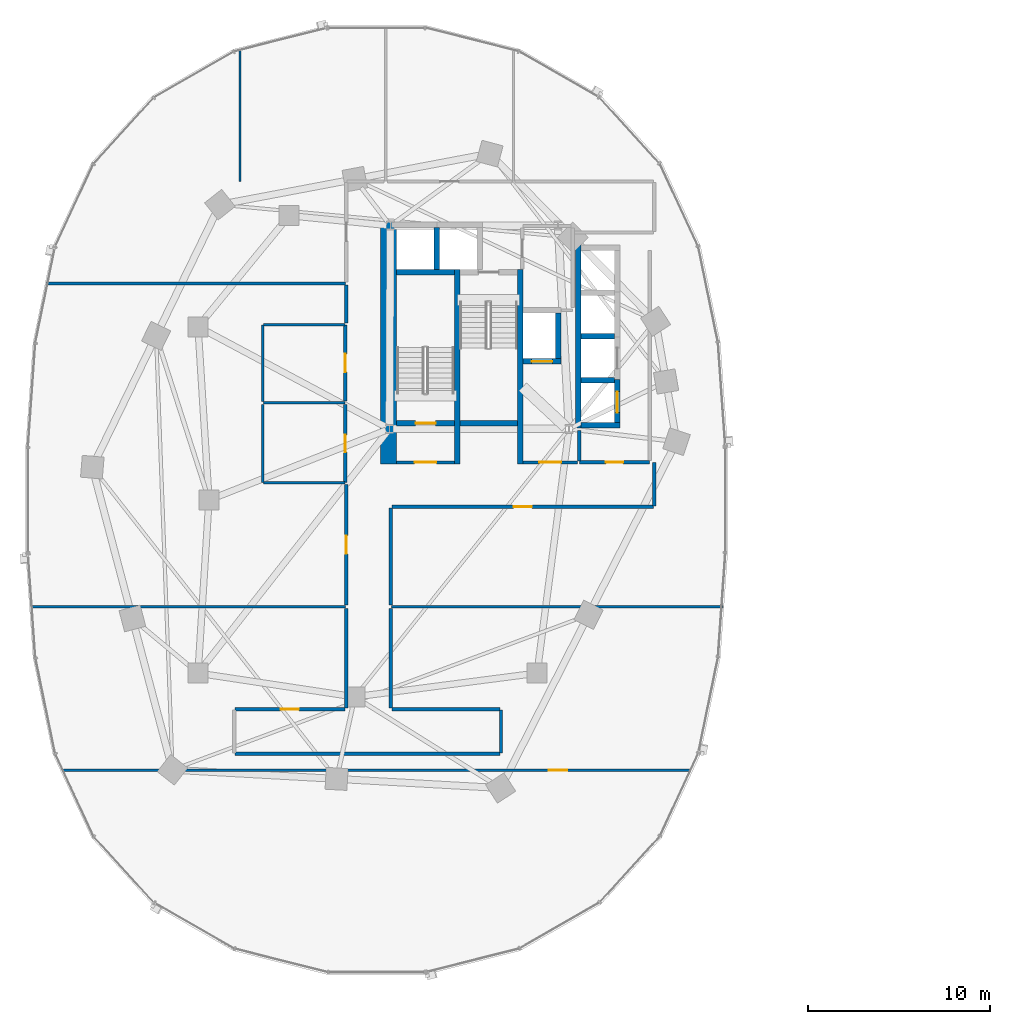
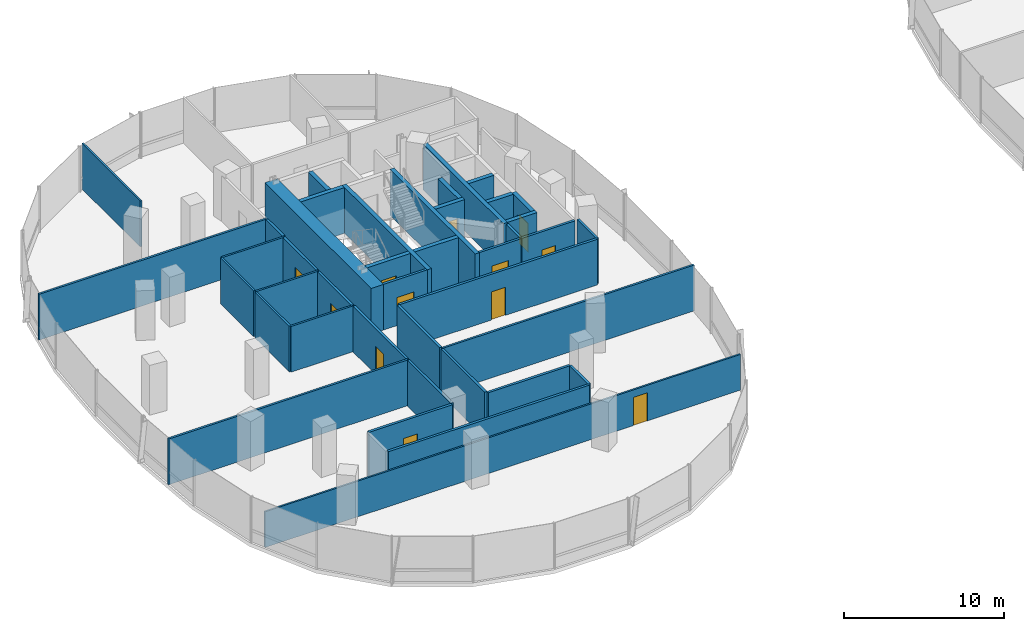
# One storey, part 11 of 21: 41 walls, 12 doors, 12 openings.
"""IFC4 building model written with IfcOpenShell, lengths in metres."""

from ifc_helpers import new_model, si_unit, direction, frame, frame_2d, origin, place, context, subcontext, project, spatial, rectangle, extrude, material, layer, layer_set, type_object, element, fill, save


model = new_model("IFC4")

# Units and contexts
model_context = context("Model", 3, precision=1e-05, world=origin(), true_north=direction((0.0, 1.0)))
body_context = subcontext(model_context, "Body", "Model", "MODEL_VIEW")
ifc_project = project(units=[si_unit("LENGTHUNIT", "METRE"), si_unit("AREAUNIT", "SQUARE_METRE"), si_unit("VOLUMEUNIT", "CUBIC_METRE"), si_unit("PLANEANGLEUNIT", "RADIAN"), si_unit("MASSUNIT", "GRAM", prefix="KILO"), si_unit("THERMODYNAMICTEMPERATUREUNIT", "KELVIN"), si_unit("POWERUNIT", "WATT")], contexts=[model_context])

# Site, building, storey
site_placement = place(None, origin())
site = spatial("IfcSite", under=ifc_project, at=site_placement, CompositionType="ELEMENT")
building_placement = place(site_placement, origin())
building = spatial("IfcBuilding", under=site, at=building_placement, Name="Cundina Bronze Exchange", CompositionType="ELEMENT")
storey_placement = place(building_placement, frame((0.0, 0.0, 65.800048828125)))
storey = spatial("IfcBuildingStorey", under=building, at=storey_placement, Name="L16", CompositionType="ELEMENT", Elevation=65.800048828125)

# Wall
ifc_material_1 = material(Name="Gypsum Fireboard Partition EI120")
ifc_layer_1 = layer(ifc_material_1, 0.179931640625, Name="Gypsum Fireboard Partition EI120")
ifc_layer_set_1 = layer_set([ifc_layer_1], Name="Gypsum Fireboard Partition EI120")
wall_type_1 = type_object("IfcWallType", Name="WL-COR-180", PredefinedType="PARTITIONING", material=ifc_layer_set_1)
wall_1_placement = place(storey_placement, frame((-20.889892578125, 2.14990234375, 0.0), z_axis=(0.0, 0.0, 1.0), x_axis=(0.0, 1.0, 0.0)))
element("IfcWall", 1, at=wall_1_placement, inside=storey, type_object=wall_type_1, Name="L16 W Firefighting Lobby Side Wall", PredefinedType="PARTITIONING", context=body_context, shape_type="SweptSolid", body=[
    extrude(rectangle(XDim=1.650146484375, YDim=0.179931640625, at=frame_2d((0.8251953125, 0.0))), origin(), (0.0, 0.0, 1.0), 3.5),
])

# Wall, opening, door
wall_2_placement = place(storey_placement, frame((-23.97998046875, 2.06005859375, 0.0), z_axis=(0.0, 0.0, 1.0), x_axis=(1.0, 0.0, 0.0)))
wall_2 = element("IfcWall", 2, at=wall_2_placement, inside=storey, type_object=wall_type_1, Name="L16 W Firefighting Lobby Exit Wall", PredefinedType="PARTITIONING", context=body_context, shape_type="SweptSolid", body=[
    extrude(rectangle(XDim=3.0, YDim=0.179931640625, at=frame_2d((1.5, 0.0))), origin(), (0.0, 0.0, 1.0), 3.5),
])
opening_1_placement = place(wall_2_placement, frame((0.89990234375, 0.0, 0.0)))
opening_1 = element("IfcOpeningElement", 3, at=opening_1_placement, cuts=wall_2, Name="Opening DF-01", PredefinedType="OPENING", context=body_context, shape_type="SweptSolid", body=[
    extrude(rectangle(XDim=1.199951171875, YDim=2.14990234375, at=frame_2d((0.60009765625, 1.074951171875))), frame((0.0, 0.099853515625, 0.0), z_axis=(0.0, -1.0, 0.0), x_axis=(1.0, 0.0, 0.0)), (0.0, 0.0, 1.0), 0.199951171875),
])
ifc_material_2 = material(Name="Steel ASTM A36 Painted", Category="steel")
door_type_1 = type_object("IfcDoorType", Name="DR-FFL-1200", OperationType="NOTDEFINED", PredefinedType="DOOR", material=ifc_material_2)
door_1_placement = place(opening_1_placement, origin())
door_1 = element("IfcDoor", 4, at=door_1_placement, inside=storey, type_object=door_type_1, Name="L16 W Firefighting Lobby Door", OperationType="SINGLE_SWING_RIGHT", OverallHeight=2.14990234375, OverallWidth=1.199951171875, PredefinedType="DOOR", context=body_context, shape_type="SweptSolid", body=[
    extrude(rectangle(XDim=1.199951171875, YDim=2.14990234375, at=frame_2d((0.60009765625, 1.074951171875))), frame((0.0, 0.02490234375, 0.0), z_axis=(0.0, -1.0, 0.0), x_axis=(1.0, 0.0, 0.0)), (0.0, 0.0, 1.0), 0.050048828125),
])
fill(opening_1, door_1)

wall_3_placement = place(storey_placement, frame((-30.89990234375, 2.06005859375, 0.0), z_axis=(0.0, 0.0, 1.0), x_axis=(1.0, 0.0, 0.0)))
wall_3 = element("IfcWall", 5, at=wall_3_placement, inside=storey, type_object=wall_type_1, Name="L16 W Stair Vestibule Exit Wall", PredefinedType="PARTITIONING", context=body_context, shape_type="SweptSolid", body=[
    extrude(rectangle(XDim=3.159912109375, YDim=0.179931640625, at=frame_2d((1.580078125, 0.0))), origin(), (0.0, 0.0, 1.0), 3.5),
])
opening_2_placement = place(wall_3_placement, frame((0.97998046875, 0.0, 0.0)))
opening_2 = element("IfcOpeningElement", 6, at=opening_2_placement, cuts=wall_3, Name="Opening DF-01", PredefinedType="OPENING", context=body_context, shape_type="SweptSolid", body=[
    extrude(rectangle(XDim=1.199951171875, YDim=2.14990234375, at=frame_2d((0.60009765625, 1.074951171875))), frame((0.0, 0.099853515625, 0.0), z_axis=(0.0, -1.0, 0.0), x_axis=(1.0, 0.0, 0.0)), (0.0, 0.0, 1.0), 0.199951171875),
])
door_2_placement = place(opening_2_placement, origin())
door_2 = element("IfcDoor", 7, at=door_2_placement, inside=storey, type_object=door_type_1, Name="L16 W Stair Vestibule Door", OperationType="SINGLE_SWING_LEFT", OverallHeight=2.14990234375, OverallWidth=1.199951171875, PredefinedType="DOOR", context=body_context, shape_type="SweptSolid", body=[
    extrude(rectangle(XDim=1.199951171875, YDim=2.14990234375, at=frame_2d((0.60009765625, 1.074951171875))), frame((0.0, 0.02490234375, 0.0), z_axis=(0.0, -1.0, 0.0), x_axis=(1.0, 0.0, 0.0)), (0.0, 0.0, 1.0), 0.050048828125),
])
fill(opening_2, door_2)

wall_4_placement = place(storey_placement, frame((-20.8701171875, 2.070068359375, 0.0), z_axis=(0.0, 0.0, 1.0), x_axis=(1.0, 0.0, 0.0)))
wall_4 = element("IfcWall", 8, at=wall_4_placement, inside=storey, type_object=wall_type_1, Name="L16 Interior Partition 002", PredefinedType="PARTITIONING", context=body_context, shape_type="SweptSolid", body=[
    extrude(rectangle(XDim=3.830078125, YDim=0.179931640625, at=frame_2d((1.9150390625, 0.0))), origin(), (0.0, 0.0, 1.0), 3.5),
])
opening_3_placement = place(wall_4_placement, frame((1.43994140625, 0.0, 0.0)))
opening_3 = element("IfcOpeningElement", 9, at=opening_3_placement, cuts=wall_4, Name="Opening DW-01", PredefinedType="OPENING", context=body_context, shape_type="SweptSolid", body=[
    extrude(rectangle(XDim=0.949951171875, YDim=2.10009765625, at=frame_2d((0.47509765625, 1.050048828125))), frame((0.0, 0.099853515625, 0.0), z_axis=(0.0, -1.0, 0.0), x_axis=(1.0, 0.0, 0.0)), (0.0, 0.0, 1.0), 0.199951171875),
])
ifc_material_3 = material(Name="Solid Andean Oak Timber Grade A", Category="wood")
door_type_2 = type_object("IfcDoorType", Name="DR-WC-950", OperationType="NOTDEFINED", PredefinedType="DOOR", material=ifc_material_3)
door_3_placement = place(opening_3_placement, origin())
door_3 = element("IfcDoor", 10, at=door_3_placement, inside=storey, type_object=door_type_2, Name="L16 Interior Door 002", OperationType="SINGLE_SWING_RIGHT", OverallHeight=2.10009765625, OverallWidth=0.949951171875, PredefinedType="DOOR", context=body_context, shape_type="SweptSolid", body=[
    extrude(rectangle(XDim=0.949951171875, YDim=2.10009765625, at=frame_2d((0.47509765625, 1.050048828125))), frame((0.0, 0.02490234375, 0.0), z_axis=(0.0, -1.0, 0.0), x_axis=(1.0, 0.0, 0.0)), (0.0, 0.0, 1.0), 0.050048828125),
])
fill(opening_3, door_3)

wall_5_placement = place(storey_placement, frame((-33.719970703125, 0.969970703125, 0.0), z_axis=(0.0, 0.0, 1.0), x_axis=(0.0, 1.0, 0.0)))
wall_5 = element("IfcWall", 11, at=wall_5_placement, inside=storey, type_object=wall_type_1, Name="L16 Interior Partition 012", PredefinedType="PARTITIONING", context=body_context, shape_type="SweptSolid", body=[
    extrude(rectangle(XDim=4.260009765625, YDim=0.179931640625, at=frame_2d((2.1298828125, 0.0))), origin(), (0.0, 0.0, 1.0), 3.5),
])
opening_4_placement = place(wall_5_placement, frame((1.655029296875, 0.0, 0.0)))
opening_4 = element("IfcOpeningElement", 12, at=opening_4_placement, cuts=wall_5, Name="Opening DW-01", PredefinedType="OPENING", context=body_context, shape_type="SweptSolid", body=[
    extrude(rectangle(XDim=0.949951171875, YDim=2.10009765625, at=frame_2d((0.47509765625, 1.050048828125))), frame((0.0, 0.099853515625, 0.0), z_axis=(0.0, -1.0, 0.0), x_axis=(1.0, 0.0, 0.0)), (0.0, 0.0, 1.0), 0.199951171875),
])
door_4_placement = place(opening_4_placement, origin())
door_4 = element("IfcDoor", 13, at=door_4_placement, inside=storey, type_object=door_type_2, Name="L16 Interior Door 012", OperationType="SINGLE_SWING_RIGHT", OverallHeight=2.10009765625, OverallWidth=0.949951171875, PredefinedType="DOOR", context=body_context, shape_type="SweptSolid", body=[
    extrude(rectangle(XDim=0.949951171875, YDim=2.10009765625, at=frame_2d((0.47509765625, 1.050048828125))), frame((0.0, 0.02490234375, 0.0), z_axis=(0.0, -1.0, 0.0), x_axis=(1.0, 0.0, 0.0)), (0.0, 0.0, 1.0), 0.050048828125),
])
fill(opening_4, door_4)

wall_6_placement = place(storey_placement, frame((-33.719970703125, 5.429931640625, 0.0), z_axis=(0.0, 0.0, 1.0), x_axis=(0.0, 1.0, 0.0)))
wall_6 = element("IfcWall", 14, at=wall_6_placement, inside=storey, type_object=wall_type_1, Name="L16 Interior Partition 013", PredefinedType="PARTITIONING", context=body_context, shape_type="SweptSolid", body=[
    extrude(rectangle(XDim=4.16015625, YDim=0.179931640625, at=frame_2d((2.080078125, 0.0))), origin(), (0.0, 0.0, 1.0), 3.5),
])
opening_5_placement = place(wall_6_placement, frame((1.580078125, 0.0, 0.0)))
opening_5 = element("IfcOpeningElement", 15, at=opening_5_placement, cuts=wall_6, Name="Opening DO-01", PredefinedType="OPENING", context=body_context, shape_type="SweptSolid", body=[
    extrude(rectangle(XDim=1.0, YDim=2.14990234375, at=frame_2d((0.5, 1.074951171875))), frame((0.0, 0.099853515625, 0.0), z_axis=(0.0, -1.0, 0.0), x_axis=(1.0, 0.0, 0.0)), (0.0, 0.0, 1.0), 0.199951171875),
])
door_type_3 = type_object("IfcDoorType", Name="DR-OFF-1000", OperationType="NOTDEFINED", PredefinedType="DOOR", material=ifc_material_3)
door_5_placement = place(opening_5_placement, origin())
door_5 = element("IfcDoor", 16, at=door_5_placement, inside=storey, type_object=door_type_3, Name="L16 Interior Door 013", OperationType="SINGLE_SWING_RIGHT", OverallHeight=2.14990234375, OverallWidth=1.0, PredefinedType="DOOR", context=body_context, shape_type="SweptSolid", body=[
    extrude(rectangle(XDim=1.0, YDim=2.14990234375, at=frame_2d((0.5, 1.074951171875))), frame((0.0, 0.02490234375, 0.0), z_axis=(0.0, -1.0, 0.0), x_axis=(1.0, 0.0, 0.0)), (0.0, 0.0, 1.0), 0.050048828125),
])
fill(opening_5, door_5)

# Wall
wall_7_placement = place(storey_placement, frame((-39.778564453125, -13.919921875, 0.0), z_axis=(0.0, 0.0, 1.0), x_axis=(1.0, 0.0, 0.0)))
element("IfcWall", 17, at=wall_7_placement, inside=storey, type_object=wall_type_1, Name="L16 Interior Partition 020", PredefinedType="PARTITIONING", context=body_context, shape_type="SweptSolid", body=[
    extrude(rectangle(XDim=14.55712890625, YDim=0.179931640625, at=frame_2d((7.278564453125, 0.0))), origin(), (0.0, 0.0, 1.0), 3.5),
])

# Wall, opening, door
wall_8_placement = place(storey_placement, frame((-33.75, -11.47998046875, 0.0), z_axis=(0.0, 0.0, 1.0), x_axis=(-1.0, 0.0, 0.0)))
wall_8 = element("IfcWall", 18, at=wall_8_placement, inside=storey, type_object=wall_type_1, Name="L16 Interior Partition 021", PredefinedType="PARTITIONING", context=body_context, shape_type="SweptSolid", body=[
    extrude(rectangle(XDim=6.028564453125, YDim=0.179931640625, at=frame_2d((3.01416015625, 0.0))), origin(), (0.0, 0.0, 1.0), 3.5),
])
opening_6_placement = place(wall_8_placement, frame((2.514404296875, 0.0, 0.0)))
opening_6 = element("IfcOpeningElement", 19, at=opening_6_placement, cuts=wall_8, Name="Opening DO-01", PredefinedType="OPENING", context=body_context, shape_type="SweptSolid", body=[
    extrude(rectangle(XDim=1.0, YDim=2.14990234375, at=frame_2d((0.5, 1.074951171875))), frame((0.0, 0.099853515625, 0.0), z_axis=(0.0, -1.0, 0.0), x_axis=(1.0, 0.0, 0.0)), (0.0, 0.0, 1.0), 0.199951171875),
])
door_6_placement = place(opening_6_placement, origin())
door_6 = element("IfcDoor", 20, at=door_6_placement, inside=storey, type_object=door_type_3, Name="L16 Interior Door 021", OperationType="SINGLE_SWING_LEFT", OverallHeight=2.14990234375, OverallWidth=1.0, PredefinedType="DOOR", context=body_context, shape_type="SweptSolid", body=[
    extrude(rectangle(XDim=1.0, YDim=2.14990234375, at=frame_2d((0.5, 1.074951171875))), frame((0.0, 0.02490234375, 0.0), z_axis=(0.0, -1.0, 0.0), x_axis=(1.0, 0.0, 0.0)), (0.0, 0.0, 1.0), 0.050048828125),
])
fill(opening_6, door_6)

# Walls
wall_9_placement = place(storey_placement, frame((-25.221435546875, -11.47998046875, 0.0), z_axis=(0.0, 0.0, 1.0), x_axis=(-1.0, 0.0, 0.0)))
element("IfcWall", 21, at=wall_9_placement, inside=storey, type_object=wall_type_1, Name="L16 Interior Partition 022", PredefinedType="PARTITIONING", context=body_context, shape_type="SweptSolid", body=[
    extrude(rectangle(XDim=5.928466796875, YDim=0.179931640625, at=frame_2d((2.96435546875, 0.0))), origin(), (0.0, 0.0, 1.0), 3.5),
])
for number, where, z_axis, x_axis, name in (
    (22, (-33.669921875, -5.949951171875, 0.0), (0.0, 0.0, 1.0), (0.0, -1.0, 0.0), "L16 Interior Partition 023"),
    (23, (-31.22998046875, -11.39990234375, 0.0), (0.0, 0.0, 1.0), (0.0, 1.0, 0.0), "L16 Interior Partition 024"),
):
    element("IfcWall", number, at=place(storey_placement, frame(where, z_axis=z_axis, x_axis=x_axis)), inside=storey, type_object=wall_type_1, Name=name, PredefinedType="PARTITIONING", context=body_context, shape_type="SweptSolid", body=[
        extrude(rectangle(XDim=5.449951171875, YDim=0.179931640625, at=frame_2d((2.72509765625, 0.0))), origin(), (0.0, 0.0, 1.0), 3.5),
    ])
wall_10_placement = place(storey_placement, frame((-25.179931640625, -13.87841796875, 0.0), z_axis=(0.0, 0.0, 1.0), x_axis=(0.0, 1.0, 0.0)))
element("IfcWall", 24, at=wall_10_placement, inside=storey, type_object=wall_type_1, Name="L16 Interior Partition 026", PredefinedType="PARTITIONING", context=body_context, shape_type="SweptSolid", body=[
    extrude(rectangle(XDim=2.35693359375, YDim=0.179931640625, at=frame_2d((1.178466796875, 0.0))), origin(), (0.0, 0.0, 1.0), 3.5),
])

# Wall, opening, door
wall_11_placement = place(storey_placement, frame((-33.669921875, 0.858642578125, 0.0), z_axis=(0.0, 0.0, 1.0), x_axis=(0.0, -1.0, 0.0)))
wall_11 = element("IfcWall", 25, at=wall_11_placement, inside=storey, type_object=wall_type_1, Name="L16 Interior Partition 027", PredefinedType="PARTITIONING", context=body_context, shape_type="SweptSolid", body=[
    extrude(rectangle(XDim=6.628662109375, YDim=0.179931640625, at=frame_2d((3.314453125, 0.0))), origin(), (0.0, 0.0, 1.0), 3.5),
])
opening_7_placement = place(wall_11_placement, frame((2.814208984375, 0.0, 0.0)))
opening_7 = element("IfcOpeningElement", 26, at=opening_7_placement, cuts=wall_11, Name="Opening DO-01", PredefinedType="OPENING", context=body_context, shape_type="SweptSolid", body=[
    extrude(rectangle(XDim=1.0, YDim=2.14990234375, at=frame_2d((0.5, 1.074951171875))), frame((0.0, 0.099853515625, 0.0), z_axis=(0.0, -1.0, 0.0), x_axis=(1.0, 0.0, 0.0)), (0.0, 0.0, 1.0), 0.199951171875),
])
door_7_placement = place(opening_7_placement, origin())
door_7 = element("IfcDoor", 27, at=door_7_placement, inside=storey, type_object=door_type_3, Name="L16 Interior Door 027", OperationType="SINGLE_SWING_RIGHT", OverallHeight=2.14990234375, OverallWidth=1.0, PredefinedType="DOOR", context=body_context, shape_type="SweptSolid", body=[
    extrude(rectangle(XDim=1.0, YDim=2.14990234375, at=frame_2d((0.5, 1.074951171875))), frame((0.0, 0.02490234375, 0.0), z_axis=(0.0, -1.0, 0.0), x_axis=(1.0, 0.0, 0.0)), (0.0, 0.0, 1.0), 0.050048828125),
])
fill(opening_7, door_7)

# Wall
wall_12_placement = place(storey_placement, frame((-33.669921875, 11.7900390625, 0.0), z_axis=(0.0, 0.0, 1.0), x_axis=(0.0, -1.0, 0.0)))
element("IfcWall", 28, at=wall_12_placement, inside=storey, type_object=wall_type_1, Name="L16 Interior Partition 028", PredefinedType="PARTITIONING", context=body_context, shape_type="SweptSolid", body=[
    extrude(rectangle(XDim=2.088623046875, YDim=0.179931640625, at=frame_2d((1.04443359375, 0.0))), origin(), (0.0, 0.0, 1.0), 3.5),
])

# Wall, opening, door
wall_13_placement = place(storey_placement, frame((-31.14990234375, -0.3701171875, 0.0), z_axis=(0.0, 0.0, 1.0), x_axis=(1.0, 0.0, 0.0)))
wall_13 = element("IfcWall", 29, at=wall_13_placement, inside=storey, type_object=wall_type_1, Name="L16 Interior Partition 029", PredefinedType="PARTITIONING", context=body_context, shape_type="SweptSolid", body=[
    extrude(rectangle(XDim=14.328369140625, YDim=0.179931640625, at=frame_2d((7.1640625, 0.0))), origin(), (0.0, 0.0, 1.0), 3.5),
])
opening_8_placement = place(wall_13_placement, frame((6.664306640625, 0.0, 0.0)))
opening_8 = element("IfcOpeningElement", 30, at=opening_8_placement, cuts=wall_13, Name="Opening DO-01", PredefinedType="OPENING", context=body_context, shape_type="SweptSolid", body=[
    extrude(rectangle(XDim=1.0, YDim=2.14990234375, at=frame_2d((0.5, 1.074951171875))), frame((0.0, 0.099853515625, 0.0), z_axis=(0.0, -1.0, 0.0), x_axis=(1.0, 0.0, 0.0)), (0.0, 0.0, 1.0), 0.199951171875),
])
door_8_placement = place(opening_8_placement, origin())
door_8 = element("IfcDoor", 31, at=door_8_placement, inside=storey, type_object=door_type_3, Name="L16 Interior Door 029", OperationType="SINGLE_SWING_RIGHT", OverallHeight=2.14990234375, OverallWidth=1.0, PredefinedType="DOOR", context=body_context, shape_type="SweptSolid", body=[
    extrude(rectangle(XDim=1.0, YDim=2.14990234375, at=frame_2d((0.5, 1.074951171875))), frame((0.0, 0.02490234375, 0.0), z_axis=(0.0, -1.0, 0.0), x_axis=(1.0, 0.0, 0.0)), (0.0, 0.0, 1.0), 0.050048828125),
])
fill(opening_8, door_8)

# Walls
wall_14_placement = place(storey_placement, frame((-31.22998046875, -5.77001953125, 0.0), z_axis=(0.0, 0.0, 1.0), x_axis=(0.0, 1.0, 0.0)))
element("IfcWall", 32, at=wall_14_placement, inside=storey, type_object=wall_type_1, Name="L16 Interior Partition 031", PredefinedType="PARTITIONING", context=body_context, shape_type="SweptSolid", body=[
    extrude(rectangle(XDim=5.320068359375, YDim=0.179931640625, at=frame_2d((2.66015625, 0.0))), origin(), (0.0, 0.0, 1.0), 3.5),
])
wall_15_placement = place(storey_placement, frame((-16.780029296875, -0.32861328125, 0.0), z_axis=(0.0, 0.0, 1.0), x_axis=(0.0, 1.0, 0.0)))
element("IfcWall", 33, at=wall_15_placement, inside=storey, type_object=wall_type_1, Name="L16 Interior Partition 034", PredefinedType="PARTITIONING", context=body_context, shape_type="SweptSolid", body=[
    extrude(rectangle(XDim=2.38720703125, YDim=0.179931640625, at=frame_2d((1.193603515625, 0.0))), origin(), (0.0, 0.0, 1.0), 3.5),
])
ifc_material_4 = material(Name="Concrete C60/75", Category="concrete")
ifc_layer_2 = layer(ifc_material_4, 0.89990234375, Name="Concrete C60/75", Category="concrete")
ifc_layer_set_2 = layer_set([ifc_layer_2], Name="Concrete C60/75")
wall_type_2 = type_object("IfcWallType", Name="WL-CORE-900", PredefinedType="SHEAR", material=ifc_layer_set_2)
wall_16_placement = place(storey_placement, frame((-31.35009765625, 1.969970703125, 0.0), z_axis=(0.0, 0.0, 1.0), x_axis=(0.0, 1.0, 0.0)))
element("IfcWall", 34, at=wall_16_placement, inside=storey, type_object=wall_type_2, Name="L16 W Primary Core Shear Spine Wall", PredefinedType="SHEAR", context=body_context, shape_type="SweptSolid", body=[
    extrude(rectangle(XDim=13.330078125, YDim=0.89990234375, at=frame_2d((6.6650390625, 0.0))), origin(), (0.0, 0.0, 1.0), 3.5),
])
ifc_material_5 = material(Name="Gypsum Acoustic Partition EI60")
ifc_layer_3 = layer(ifc_material_5, 0.125, Name="Gypsum Acoustic Partition EI60")
ifc_layer_set_3 = layer_set([ifc_layer_3], Name="Gypsum Acoustic Partition EI60")
wall_type_3 = type_object("IfcWallType", Name="WL-OFF-125", PredefinedType="PARTITIONING", material=ifc_layer_set_3)
wall_17_placement = place(storey_placement, frame((-39.5, 17.469970703125, 0.0), z_axis=(0.0, 0.0, 1.0), x_axis=(0.0, 1.0, 0.0)))
element("IfcWall", 35, at=wall_17_placement, inside=storey, type_object=wall_type_3, Name="L16 Interior Partition 017", PredefinedType="PARTITIONING", context=body_context, shape_type="SweptSolid", body=[
    extrude(rectangle(XDim=7.30224609375, YDim=0.125, at=frame_2d((3.651123046875, 0.0))), origin(), (0.0, 0.0, 1.0), 3.5),
])

# Wall, opening, door
wall_18_placement = place(storey_placement, frame((-49.1953125, -14.820068359375, 0.0), z_axis=(0.0, 0.0, 1.0), x_axis=(1.0, 0.0, 0.0)))
wall_18 = element("IfcWall", 36, at=wall_18_placement, inside=storey, type_object=wall_type_3, Name="L16 Interior Partition 038", PredefinedType="PARTITIONING", context=body_context, shape_type="SweptSolid", body=[
    extrude(rectangle(XDim=34.390625, YDim=0.125, at=frame_2d((17.1953125, 0.0))), origin(), (0.0, 0.0, 1.0), 2.72705078125),
])
opening_9_placement = place(wall_18_placement, frame((26.640625, 0.0, 0.0)))
opening_9 = element("IfcOpeningElement", 37, at=opening_9_placement, cuts=wall_18, Name="Opening DO-01", PredefinedType="OPENING", context=body_context, shape_type="SweptSolid", body=[
    extrude(rectangle(XDim=1.0, YDim=2.14990234375, at=frame_2d((0.5, 1.074951171875))), frame((0.0, 0.072509765625, 0.0), z_axis=(0.0, -1.0, 0.0), x_axis=(1.0, 0.0, 0.0)), (0.0, 0.0, 1.0), 0.14501953125),
])
door_9_placement = place(opening_9_placement, origin())
door_9 = element("IfcDoor", 38, at=door_9_placement, inside=storey, type_object=door_type_3, Name="L16 Interior Door 038", OperationType="SINGLE_SWING_RIGHT", OverallHeight=2.14990234375, OverallWidth=1.0, PredefinedType="DOOR", context=body_context, shape_type="SweptSolid", body=[
    extrude(rectangle(XDim=1.0, YDim=2.14990234375, at=frame_2d((0.5, 1.074951171875))), frame((0.0, 0.02490234375, 0.0), z_axis=(0.0, -1.0, 0.0), x_axis=(1.0, 0.0, 0.0)), (0.0, 0.0, 1.0), 0.050048828125),
])
fill(opening_9, door_9)

# Walls
ifc_material_6 = material(Name="Concrete C50/60", Category="concrete")
ifc_layer_4 = layer(ifc_material_6, 0.300048828125, Name="Concrete C50/60", Category="concrete")
ifc_layer_set_4 = layer_set([ifc_layer_4], Name="Concrete C50/60")
wall_type_4 = type_object("IfcWallType", Name="WL-SHFT-300", PredefinedType="SHEAR", material=ifc_layer_set_4)
for number, where, z_axis, x_axis, name in (
    (39, (-27.590087890625, 1.969970703125, 0.0), (0.0, 0.0, 1.0), (0.0, 1.0, 0.0), "L16 W Stair Shaft Dividing Shear Wall"),
    (40, (-24.1298828125, 1.969970703125, 0.0), (0.0, 0.0, 1.0), (0.0, 1.0, 0.0), "L16 W Stair 2 East Shear Wall"),
):
    element("IfcWall", number, at=place(storey_placement, frame(where, z_axis=z_axis, x_axis=x_axis)), inside=storey, type_object=wall_type_4, Name=name, PredefinedType="SHEAR", context=body_context, shape_type="SweptSolid", body=[
        extrude(rectangle(XDim=10.679931640625, YDim=0.300048828125, at=frame_2d((5.33984375, 0.0))), origin(), (0.0, 0.0, 1.0), 3.5),
    ])

# Wall, opening, door
wall_19_placement = place(storey_placement, frame((-30.89990234375, 4.199951171875, 0.0), z_axis=(0.0, 0.0, 1.0), x_axis=(1.0, 0.0, 0.0)))
wall_19 = element("IfcWall", 41, at=wall_19_placement, inside=storey, type_object=wall_type_4, Name="L16 Stair W1 Landing Wall", PredefinedType="SHEAR", context=body_context, shape_type="SweptSolid", body=[
    extrude(rectangle(XDim=3.159912109375, YDim=0.300048828125, at=frame_2d((1.580078125, 0.0))), origin(), (0.0, 0.0, 1.0), 3.5),
])
opening_10_placement = place(wall_19_placement, frame((1.030029296875, 0.0, 0.0)))
opening_10 = element("IfcOpeningElement", 42, at=opening_10_placement, cuts=wall_19, Name="Opening DS-01", PredefinedType="OPENING", context=body_context, shape_type="SweptSolid", body=[
    extrude(rectangle(XDim=1.10009765625, YDim=2.14990234375, at=frame_2d((0.550048828125, 1.074951171875))), frame((0.0, 0.159912109375, 0.0), z_axis=(0.0, -1.0, 0.0), x_axis=(1.0, 0.0, 0.0)), (0.0, 0.0, 1.0), 0.320068359375),
])
door_type_4 = type_object("IfcDoorType", Name="DR-STR-1100", OperationType="NOTDEFINED", PredefinedType="DOOR", material=ifc_material_2)
door_10_placement = place(opening_10_placement, origin())
door_10 = element("IfcDoor", 43, at=door_10_placement, inside=storey, type_object=door_type_4, Name="L16 Smokeproof Stair W1 Door", OperationType="SINGLE_SWING_RIGHT", OverallHeight=2.14990234375, OverallWidth=1.10009765625, PredefinedType="DOOR", context=body_context, shape_type="SweptSolid", body=[
    extrude(rectangle(XDim=1.10009765625, YDim=2.14990234375, at=frame_2d((0.550048828125, 1.074951171875))), frame((0.0, 0.02490234375, 0.0), z_axis=(0.0, -1.0, 0.0), x_axis=(1.0, 0.0, 0.0)), (0.0, 0.0, 1.0), 0.050048828125),
])
fill(opening_10, door_10)

# Walls
for number, where, z_axis, x_axis, name in (
    (44, (-30.89990234375, 12.5, 0.0), (0.0, 0.0, 1.0), (1.0, 0.0, 0.0), "L16 Stair W1 Far Shaft Wall"),
    (45, (-27.43994140625, 4.199951171875, 0.0), (0.0, 0.0, 1.0), (1.0, 0.0, 0.0), "L16 Stair W2 Far Shaft Wall"),
):
    element("IfcWall", number, at=place(storey_placement, frame(where, z_axis=z_axis, x_axis=x_axis)), inside=storey, type_object=wall_type_4, Name=name, PredefinedType="SHEAR", context=body_context, shape_type="SweptSolid", body=[
        extrude(rectangle(XDim=3.159912109375, YDim=0.300048828125, at=frame_2d((1.580078125, 0.0))), origin(), (0.0, 0.0, 1.0), 3.5),
    ])

# Wall, opening, door
wall_20_placement = place(storey_placement, frame((-23.97998046875, 7.60009765625, 0.0), z_axis=(0.0, 0.0, 1.0), x_axis=(1.0, 0.0, 0.0)))
wall_20 = element("IfcWall", 46, at=wall_20_placement, inside=storey, type_object=wall_type_4, Name="L16 FFL-W Hoistway Front Wall", PredefinedType="SHEAR", context=body_context, shape_type="SweptSolid", body=[
    extrude(rectangle(XDim=2.10009765625, YDim=0.300048828125, at=frame_2d((1.050048828125, 0.0))), origin(), (0.0, 0.0, 1.0), 3.5),
])
opening_11_placement = place(wall_20_placement, frame((0.47509765625, 0.0, 0.0)))
opening_11 = element("IfcOpeningElement", 47, at=opening_11_placement, cuts=wall_20, Name="Opening LD-01", PredefinedType="OPENING", context=body_context, shape_type="SweptSolid", body=[
    extrude(rectangle(XDim=1.14990234375, YDim=2.199951171875, at=frame_2d((0.574951171875, 1.10009765625))), frame((0.0, 0.159912109375, 0.0), z_axis=(0.0, -1.0, 0.0), x_axis=(1.0, 0.0, 0.0)), (0.0, 0.0, 1.0), 0.320068359375),
])
door_type_5 = type_object("IfcDoorType", Name="DR-LND-1150", OperationType="NOTDEFINED", PredefinedType="TRAPDOOR", material=ifc_material_2)
door_11_placement = place(opening_11_placement, origin())
door_11 = element("IfcDoor", 48, at=door_11_placement, inside=storey, type_object=door_type_5, Name="L16 FFL-W Sliding Landing Door", OperationType="SLIDING_TO_LEFT", OverallHeight=2.199951171875, OverallWidth=1.14990234375, PredefinedType="TRAPDOOR", context=body_context, shape_type="SweptSolid", body=[
    extrude(rectangle(XDim=1.14990234375, YDim=2.199951171875, at=frame_2d((0.574951171875, 1.10009765625))), frame((0.0, 0.02490234375, 0.0), z_axis=(0.0, -1.0, 0.0), x_axis=(1.0, 0.0, 0.0)), (0.0, 0.0, 1.0), 0.050048828125),
])
fill(opening_11, door_11)

# Walls
wall_21_placement = place(storey_placement, frame((-22.030029296875, 7.75, 0.0), z_axis=(0.0, 0.0, 1.0), x_axis=(0.0, 1.0, 0.0)))
element("IfcWall", 49, at=wall_21_placement, inside=storey, type_object=wall_type_4, Name="L16 FFL-W Hoistway Side Wall", PredefinedType="SHEAR", context=body_context, shape_type="SweptSolid", body=[
    extrude(rectangle(XDim=2.5, YDim=0.300048828125, at=frame_2d((1.25, 0.0))), origin(), (0.0, 0.0, 1.0), 3.5),
])
wall_22_placement = place(storey_placement, frame((-28.699951171875, 12.64990234375, 0.0), z_axis=(0.0, 0.0, 1.0), x_axis=(0.0, 1.0, 0.0)))
element("IfcWall", 50, at=wall_22_placement, inside=storey, type_object=wall_type_4, Name="L16 PH-W1 Hoistway Divider Wall", PredefinedType="SHEAR", context=body_context, shape_type="SweptSolid", body=[
    extrude(rectangle(XDim=2.300048828125, YDim=0.300048828125, at=frame_2d((1.14990234375, 0.0))), origin(), (0.0, 0.0, 1.0), 3.5),
])
wall_23_placement = place(storey_placement, frame((-20.949951171875, 3.949951171875, 0.0), z_axis=(0.0, 0.0, 1.0), x_axis=(0.0, 1.0, 0.0)))
element("IfcWall", 51, at=wall_23_placement, inside=storey, type_object=wall_type_4, Name="L16 W Passenger Bank Hoistway Back Wall", PredefinedType="SHEAR", context=body_context, shape_type="SweptSolid", body=[
    extrude(rectangle(XDim=10.050048828125, YDim=0.300048828125, at=frame_2d((5.02490234375, 0.0))), origin(), (0.0, 0.0, 1.0), 3.5),
])
wall_24_placement = place(storey_placement, frame((-20.800048828125, 4.10009765625, 0.0), z_axis=(0.0, 0.0, 1.0), x_axis=(1.0, 0.0, 0.0)))
element("IfcWall", 52, at=wall_24_placement, inside=storey, type_object=wall_type_4, Name="L16 W Passenger Bank South Cap Wall", PredefinedType="SHEAR", context=body_context, shape_type="SweptSolid", body=[
    extrude(rectangle(XDim=2.150146484375, YDim=0.300048828125, at=frame_2d((1.0751953125, 0.0))), origin(), (0.0, 0.0, 1.0), 3.5),
])
for number, where, z_axis, x_axis, name in (
    (53, (-20.800048828125, 6.574951171875, 0.0), (0.0, 0.0, 1.0), (1.0, 0.0, 0.0), "L16 W Passenger Hoistway Divider 1"),
    (54, (-20.800048828125, 8.97509765625, 0.0), (0.0, 0.0, 1.0), (1.0, 0.0, 0.0), "L16 W Passenger Hoistway Divider 2"),
):
    element("IfcWall", number, at=place(storey_placement, frame(where, z_axis=z_axis, x_axis=x_axis)), inside=storey, type_object=wall_type_4, Name=name, PredefinedType="SHEAR", context=body_context, shape_type="SweptSolid", body=[
        extrude(rectangle(XDim=1.85009765625, YDim=0.300048828125, at=frame_2d((0.925048828125, 0.0))), origin(), (0.0, 0.0, 1.0), 3.5),
    ])

# Wall, opening, door
wall_25_placement = place(storey_placement, frame((-18.800048828125, 4.1298828125, 0.0), z_axis=(0.0, 0.0, 1.0), x_axis=(0.0, 1.0, 0.0)))
wall_25 = element("IfcWall", 55, at=wall_25_placement, inside=storey, type_object=wall_type_4, Name="L16 PL-W2 Hoistway Front Wall", PredefinedType="SHEAR", context=body_context, shape_type="SweptSolid", body=[
    extrude(rectangle(XDim=2.490234375, YDim=0.300048828125, at=frame_2d((1.2451171875, 0.0))), origin(), (0.0, 0.0, 1.0), 3.5),
])
opening_12_placement = place(wall_25_placement, frame((0.669921875, 0.0, 0.0)))
opening_12 = element("IfcOpeningElement", 56, at=opening_12_placement, cuts=wall_25, Name="Opening LD-01", PredefinedType="OPENING", context=body_context, shape_type="SweptSolid", body=[
    extrude(rectangle(XDim=1.14990234375, YDim=2.199951171875, at=frame_2d((0.574951171875, 1.10009765625))), frame((0.0, 0.159912109375, 0.0), z_axis=(0.0, -1.0, 0.0), x_axis=(1.0, 0.0, 0.0)), (0.0, 0.0, 1.0), 0.320068359375),
])
door_12_placement = place(opening_12_placement, origin())
door_12 = element("IfcDoor", 57, at=door_12_placement, inside=storey, type_object=door_type_5, Name="L16 PL-W2 Sliding Landing Door", OperationType="SLIDING_TO_LEFT", OverallHeight=2.199951171875, OverallWidth=1.14990234375, PredefinedType="TRAPDOOR", context=body_context, shape_type="SweptSolid", body=[
    extrude(rectangle(XDim=1.14990234375, YDim=2.199951171875, at=frame_2d((0.574951171875, 1.10009765625))), frame((0.0, 0.02490234375, 0.0), z_axis=(0.0, -1.0, 0.0), x_axis=(1.0, 0.0, 0.0)), (0.0, 0.0, 1.0), 0.050048828125),
])
fill(opening_12, door_12)

# Walls
ifc_layer_5 = layer(ifc_material_5, 0.14990234375, Name="Gypsum Acoustic Partition EI60")
ifc_layer_set_5 = layer_set([ifc_layer_5], Name="Gypsum Acoustic Partition EI60")
wall_type_5 = type_object("IfcWallType", Name="WL-TEN-150", PredefinedType="PARTITIONING", material=ifc_layer_set_5)
wall_26_placement = place(storey_placement, frame((-51.001708984375, -5.860107421875, 0.0), z_axis=(0.0, 0.0, 1.0), x_axis=(1.0, 0.0, 0.0)))
element("IfcWall", 58, at=wall_26_placement, inside=storey, type_object=wall_type_5, Name="L16 Interior Partition 014", PredefinedType="PARTITIONING", context=body_context, shape_type="SweptSolid", body=[
    extrude(rectangle(XDim=17.3017578125, YDim=0.14990234375, at=frame_2d((8.65087890625, 0.0))), origin(), (0.0, 0.0, 1.0), 3.5),
])
wall_27_placement = place(storey_placement, frame((-31.199951171875, -5.860107421875, 0.0), z_axis=(0.0, 0.0, 1.0), x_axis=(1.0, 0.0, 0.0)))
element("IfcWall", 59, at=wall_27_placement, inside=storey, type_object=wall_type_5, Name="L16 Interior Partition 015", PredefinedType="PARTITIONING", context=body_context, shape_type="SweptSolid", body=[
    extrude(rectangle(XDim=18.20166015625, YDim=0.14990234375, at=frame_2d((9.100830078125, 0.0))), origin(), (0.0, 0.0, 1.0), 3.5),
])
wall_28_placement = place(storey_placement, frame((-50.140869140625, 11.8798828125, 0.0), z_axis=(0.0, 0.0, 1.0), x_axis=(1.0, 0.0, 0.0)))
element("IfcWall", 60, at=wall_28_placement, inside=storey, type_object=wall_type_5, Name="L16 Interior Partition 016", PredefinedType="PARTITIONING", context=body_context, shape_type="SweptSolid", body=[
    extrude(rectangle(XDim=16.44091796875, YDim=0.14990234375, at=frame_2d((8.220458984375, 0.0))), origin(), (0.0, 0.0, 1.0), 3.5),
])
ifc_material_7 = material(Name="Moisture-Resistant Masonry Block Grade M15", Category="masonry")
ifc_layer_6 = layer(ifc_material_7, 0.139892578125, Name="Moisture-Resistant Masonry Block Grade M15", Category="masonry")
ifc_layer_set_6 = layer_set([ifc_layer_6], Name="Moisture-Resistant Masonry Block Grade M15")
wall_type_6 = type_object("IfcWallType", Name="WL-WET-140", PredefinedType="PARTITIONING", material=ifc_layer_set_6)
wall_29_placement = place(storey_placement, frame((-38.239990234375, 0.969970703125, 0.0), z_axis=(0.0, 0.0, 1.0), x_axis=(0.0, 1.0, 0.0)))
element("IfcWall", 61, at=wall_29_placement, inside=storey, type_object=wall_type_6, Name="L16 Interior Partition 007", PredefinedType="PARTITIONING", context=body_context, shape_type="SweptSolid", body=[
    extrude(rectangle(XDim=4.275146484375, YDim=0.139892578125, at=frame_2d((2.1376953125, 0.0))), origin(), (0.0, 0.0, 1.0), 3.5),
])
wall_30_placement = place(storey_placement, frame((-38.239990234375, 5.4150390625, 0.0), z_axis=(0.0, 0.0, 1.0), x_axis=(0.0, 1.0, 0.0)))
element("IfcWall", 62, at=wall_30_placement, inside=storey, type_object=wall_type_6, Name="L16 Interior Partition 008", PredefinedType="PARTITIONING", context=body_context, shape_type="SweptSolid", body=[
    extrude(rectangle(XDim=4.175048828125, YDim=0.139892578125, at=frame_2d((2.08740234375, 0.0))), origin(), (0.0, 0.0, 1.0), 3.5),
])
for number, where, z_axis, x_axis, name in (
    (63, (-38.219970703125, 0.949951171875, 0.0), (0.0, 0.0, 1.0), (1.0, 0.0, 0.0), "L16 Interior Partition 009"),
    (64, (-38.219970703125, 5.330078125, 0.0), (0.0, 0.0, 1.0), (1.0, 0.0, 0.0), "L16 Interior Partition 010"),
    (65, (-38.219970703125, 9.610107421875, 0.0), (0.0, 0.0, 1.0), (1.0, 0.0, 0.0), "L16 Interior Partition 011"),
):
    element("IfcWall", number, at=place(storey_placement, frame(where, z_axis=z_axis, x_axis=x_axis)), inside=storey, type_object=wall_type_6, Name=name, PredefinedType="PARTITIONING", context=body_context, shape_type="SweptSolid", body=[
        extrude(rectangle(XDim=4.47998046875, YDim=0.139892578125, at=frame_2d((2.239990234375, 0.0))), origin(), (0.0, 0.0, 1.0), 3.5),
    ])

save(model, "model.ifc")
